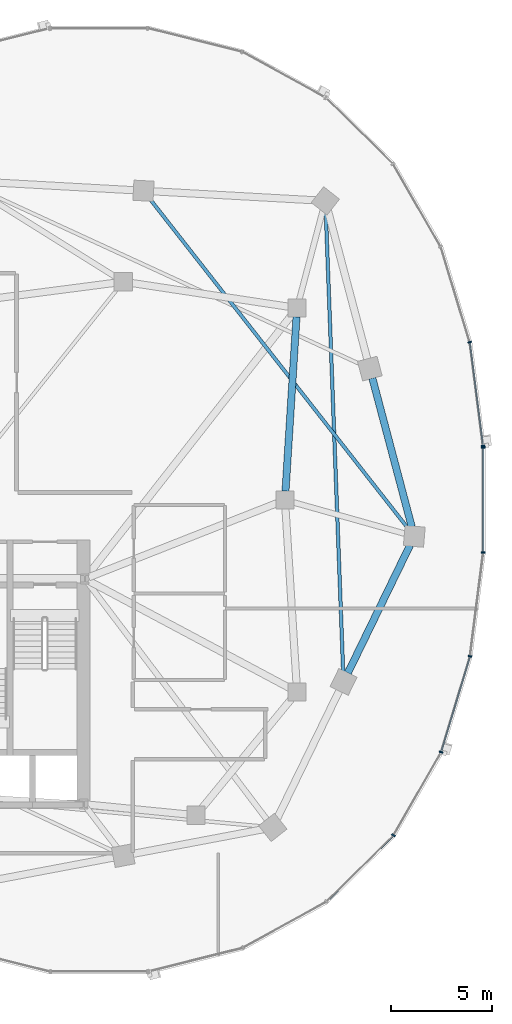
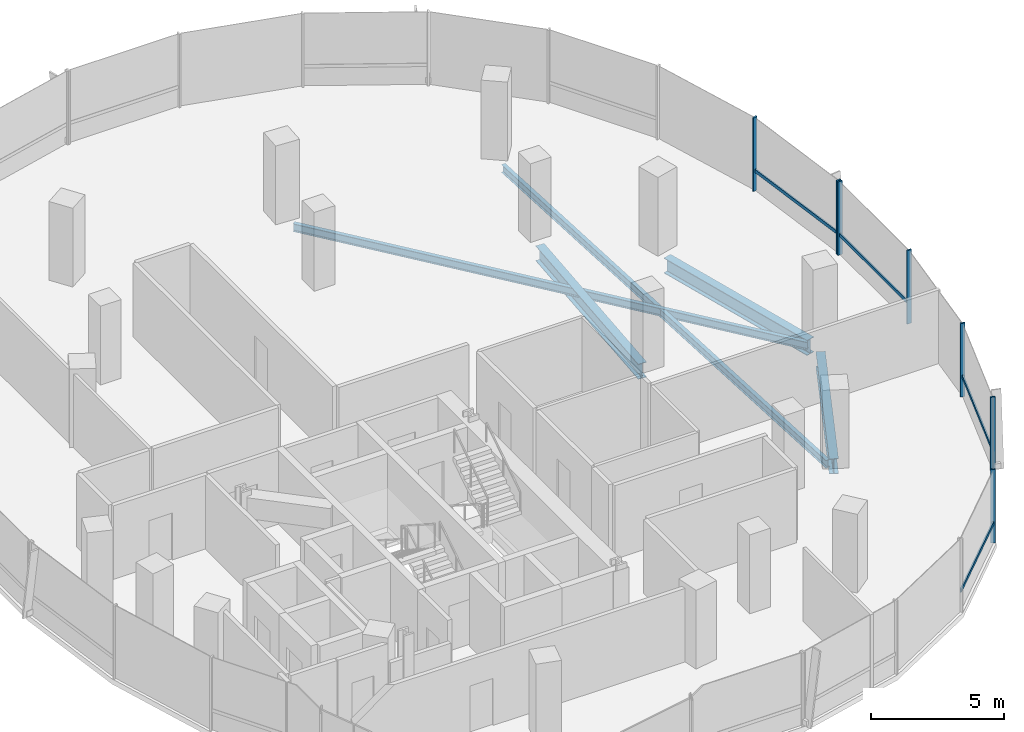
# One storey, part 8 of 22: 11 members, 5 beams, 2 elements without a shape of their own.
"""IFC4 building model written with IfcOpenShell, lengths in metres."""

from ifc_helpers import new_model, si_unit, direction, frame, origin, origin_2d, place, context, subcontext, project, spatial, rectangle, i_section, extrude, material, material_profile, profile_set, type_object, element, aggregate, save


model = new_model("IFC4")

# Units and contexts
model_context = context("Model", 3, precision=1e-05, world=origin(), true_north=direction((0.0, 1.0)))
body_context = subcontext(model_context, "Body", "Model", "MODEL_VIEW")
ifc_project = project(units=[si_unit("LENGTHUNIT", "METRE"), si_unit("AREAUNIT", "SQUARE_METRE"), si_unit("VOLUMEUNIT", "CUBIC_METRE"), si_unit("PLANEANGLEUNIT", "RADIAN"), si_unit("MASSUNIT", "GRAM", prefix="KILO"), si_unit("THERMODYNAMICTEMPERATUREUNIT", "KELVIN"), si_unit("POWERUNIT", "WATT")], contexts=[model_context])

# Site, building, storey
site_placement = place(None, origin())
site = spatial("IfcSite", under=ifc_project, at=site_placement, CompositionType="ELEMENT")
building_placement = place(site_placement, origin())
building = spatial("IfcBuilding", under=site, at=building_placement, Name="Cundina Bronze Exchange", CompositionType="ELEMENT")
storey_placement = place(building_placement, frame((0.0, 0.0, 140.39990234375)))
storey = spatial("IfcBuildingStorey", under=building, at=storey_placement, Name="L36", CompositionType="ELEMENT", Elevation=140.39990234375)

# Beams
ifc_material_1 = material(Name="Steel ASTM A992 Grade 50", Category="steel")
ifc_material_profile_1 = material_profile(ifc_material_1, i_section(OverallWidth=0.172119140625, OverallDepth=0.35791015625, WebThickness=0.0078125, FlangeThickness=0.01318359375, FilletRadius=0.010009765625, at=origin_2d()), Name="W14X38", Category="steel")
ifc_profile_set_1 = profile_set([ifc_material_profile_1], Name="Steel ASTM A992 Grade 50")
beam_type_1 = type_object("IfcBeamType", Name="BM-JST-W14", PredefinedType="JOIST", material=ifc_profile_set_1)
beam_1_placement = place(storey_placement, frame((44.08154296875, -8.51220703125, -0.4189453125), z_axis=(-0.037784933381, 0.999285894431, 0.0), x_axis=(-0.999285894431, -0.037784933381, 0.0)))
element("IfcBeam", 1, at=beam_1_placement, inside=storey, type_object=beam_type_1, Name="L36 Leg E Lobe Floor Joist 07-10", PredefinedType="JOIST", context=body_context, shape_type="SweptSolid", body=[
    extrude(i_section(OverallWidth=0.172119140625, OverallDepth=0.35791015625, WebThickness=0.0078125, FlangeThickness=0.01318359375, FilletRadius=0.010009765625, at=origin_2d()), origin(), (0.0, 0.0, 1.0), 22.8408203125),
])
beam_2_placement = place(storey_placement, frame((47.299072265625, -1.416015625, -0.4189453125), z_axis=(-0.616801484103, 0.787118751656, 0.0), x_axis=(-0.787118751656, -0.616801484103, 0.0)))
element("IfcBeam", 2, at=beam_2_placement, inside=storey, type_object=beam_type_1, Name="L36 Leg E Lobe Floor Joist 08-11", PredefinedType="JOIST", context=body_context, shape_type="SweptSolid", body=[
    extrude(i_section(OverallWidth=0.172119140625, OverallDepth=0.35791015625, WebThickness=0.0078125, FlangeThickness=0.01318359375, FilletRadius=0.010009765625, at=origin_2d()), origin(), (0.0, 0.0, 1.0), 20.7490234375),
])
ifc_material_profile_2 = material_profile(ifc_material_1, i_section(OverallWidth=0.35498046875, OverallDepth=0.695068359375, WebThickness=0.015380859375, FlangeThickness=0.02490234375, FilletRadius=0.01806640625, at=origin_2d()), Name="W27X146", Category="steel")
ifc_profile_set_2 = profile_set([ifc_material_profile_2], Name="Steel ASTM A992 Grade 50")
beam_type_2 = type_object("IfcBeamType", Name="BM-RING-W27", PredefinedType="USERDEFINED", material=ifc_profile_set_2)
beam_3_placement = place(storey_placement, frame((41.2275390625, 0.43701171875, -0.58740234375), z_axis=(0.063046519736, 0.998010589297, 0.0), x_axis=(-0.998010589297, 0.063046519736, 0.0)))
element("IfcBeam", 3, at=beam_3_placement, inside=storey, type_object=beam_type_2, Name="L36 E Inner Structural Ring Girder 04", ObjectType="GIRDER", PredefinedType="USERDEFINED", context=body_context, shape_type="SweptSolid", body=[
    extrude(i_section(OverallWidth=0.35498046875, OverallDepth=0.695068359375, WebThickness=0.015380859375, FlangeThickness=0.02490234375, FilletRadius=0.01806640625, at=origin_2d()), origin(), (0.0, 0.0, 1.0), 8.64306640625),
])
beam_4_placement = place(storey_placement, frame((44.3134765625, -8.56103515625, -0.58740234375), z_axis=(0.437196998825, 0.89936576776, 0.0), x_axis=(-0.89936576776, 0.437196998825, 0.0)))
element("IfcBeam", 4, at=beam_4_placement, inside=storey, type_object=beam_type_2, Name="L36 E Perimeter Ring Girder 07", ObjectType="GIRDER", PredefinedType="USERDEFINED", context=body_context, shape_type="SweptSolid", body=[
    extrude(i_section(OverallWidth=0.35498046875, OverallDepth=0.695068359375, WebThickness=0.015380859375, FlangeThickness=0.02490234375, FilletRadius=0.01806640625, at=origin_2d()), origin(), (0.0, 0.0, 1.0), 7.029541015625),
])
beam_5_placement = place(storey_placement, frame((47.47509765625, -1.328369140625, -0.58740234375), z_axis=(-0.256240814108, 0.966612975904, 0.0), x_axis=(-0.966612975904, -0.256240814108, 0.0)))
element("IfcBeam", 5, at=beam_5_placement, inside=storey, type_object=beam_type_2, Name="L36 E Perimeter Ring Girder 08", ObjectType="GIRDER", PredefinedType="USERDEFINED", context=body_context, shape_type="SweptSolid", body=[
    extrude(i_section(OverallWidth=0.35498046875, OverallDepth=0.695068359375, WebThickness=0.015380859375, FlangeThickness=0.02490234375, FilletRadius=0.01806640625, at=origin_2d()), origin(), (0.0, 0.0, 1.0), 7.61083984375),
])

# Curtain wall, members
ifc_material_2 = material(Name="Anodised Bronze Aluminium 6063-T6", Category="aluminium")
curtain_wall_type = type_object("IfcCurtainWallType", Name="CWS-WST-PIN", PredefinedType="NOTDEFINED", material=ifc_material_2)
curtain_wall_1_placement = place(storey_placement, origin())
curtain_wall_1 = element("IfcCurtainWall", 6, at=curtain_wall_1_placement, inside=storey, type_object=curtain_wall_type, Name="L36 CW-04 Curtain Wall Run CWR-L36-E1", PredefinedType="NOTDEFINED")
ifc_material_profile_3 = material_profile(ifc_material_2, rectangle(XDim=0.070068359375, YDim=0.18994140625, at=origin_2d()), Name="AL70X190", Category="aluminium")
ifc_profile_set_3 = profile_set([ifc_material_profile_3], Name="Anodised Bronze Aluminium 6063-T6")
member_type_1 = type_object("IfcMemberType", Name="CWM-MUL-190", PredefinedType="MULLION", material=ifc_profile_set_3)
member_1_placement = place(storey_placement, frame((51.001708984375, 2.676025390625, 0.0), z_axis=(0.0, 0.0, 1.0), x_axis=(-0.126545236492, 0.991960837494, 0.0)))
member_1 = element("IfcMember", 7, at=member_1_placement, type_object=member_type_1, Name="CW-04 Mullion 1", PredefinedType="MULLION", context=body_context, shape_type="SweptSolid", body=[
    extrude(rectangle(XDim=0.070068359375, YDim=0.18994140625, at=origin_2d()), origin(), (0.0, 0.0, 1.0), 3.360107421875),
])
member_2_placement = place(storey_placement, frame((50.3408203125, 7.80859375, 0.0), z_axis=(0.0, 0.0, 1.0), x_axis=(-0.290034140915, 0.957016299288, 0.0)))
member_2 = element("IfcMember", 8, at=member_2_placement, type_object=member_type_1, Name="CW-04 Mullion 2", PredefinedType="MULLION", context=body_context, shape_type="SweptSolid", body=[
    extrude(rectangle(XDim=0.070068359375, YDim=0.18994140625, at=origin_2d()), origin(), (0.0, 0.0, 1.0), 3.360107421875),
])

curtain_wall_2_placement = place(storey_placement, origin())
curtain_wall_2 = element("IfcCurtainWall", 9, at=curtain_wall_2_placement, inside=storey, type_object=curtain_wall_type, Name="L36 CW-04 Curtain Wall Run CWR-L36-E4", PredefinedType="NOTDEFINED")
member_3_placement = place(storey_placement, frame((46.57080078125, -16.588134765625, 0.0), z_axis=(0.0, 0.0, 1.0), x_axis=(0.498487739754, 0.866896748936, 0.0)))
member_3 = element("IfcMember", 10, at=member_3_placement, type_object=member_type_1, Name="CW-04 Mullion 4", PredefinedType="MULLION", context=body_context, shape_type="SweptSolid", body=[
    extrude(rectangle(XDim=0.070068359375, YDim=0.18994140625, at=origin_2d()), origin(), (0.0, 0.0, 1.0), 3.360107421875),
])
member_4_placement = place(storey_placement, frame((48.92626953125, -12.4755859375, 0.0), z_axis=(0.0, 0.0, 1.0), x_axis=(0.290034140915, 0.957016299288, 0.0)))
member_4 = element("IfcMember", 11, at=member_4_placement, type_object=member_type_1, Name="CW-04 Mullion 5", PredefinedType="MULLION", context=body_context, shape_type="SweptSolid", body=[
    extrude(rectangle(XDim=0.070068359375, YDim=0.18994140625, at=origin_2d()), origin(), (0.0, 0.0, 1.0), 3.360107421875),
])
member_5_placement = place(storey_placement, frame((50.357177734375, -7.731689453125, 0.0), z_axis=(0.0, 0.0, 1.0), x_axis=(0.126545236492, 0.991960837494, 0.0)))
member_5 = element("IfcMember", 12, at=member_5_placement, type_object=member_type_1, Name="CW-04 Mullion 6", PredefinedType="MULLION", context=body_context, shape_type="SweptSolid", body=[
    extrude(rectangle(XDim=0.070068359375, YDim=0.18994140625, at=origin_2d()), origin(), (0.0, 0.0, 1.0), 3.360107421875),
])
member_6_placement = place(storey_placement, frame((51.007080078125, -2.593017578125, 0.0), z_axis=(0.0, 0.0, 1.0), x_axis=(0.0, 1.0, 0.0)))
member_6 = element("IfcMember", 13, at=member_6_placement, type_object=member_type_1, Name="CW-04 Mullion 7", PredefinedType="MULLION", context=body_context, shape_type="SweptSolid", body=[
    extrude(rectangle(XDim=0.070068359375, YDim=0.18994140625, at=origin_2d()), origin(), (0.0, 0.0, 1.0), 3.360107421875),
])
member_7_placement = place(storey_placement, frame((51.007080078125, 2.593017578125, 0.0), z_axis=(0.0, 0.0, 1.0), x_axis=(0.0, 1.0, 0.0)))
member_7 = element("IfcMember", 14, at=member_7_placement, type_object=member_type_1, Name="CW-04 End Mullion", PredefinedType="MULLION", context=body_context, shape_type="SweptSolid", body=[
    extrude(rectangle(XDim=0.070068359375, YDim=0.18994140625, at=origin_2d()), origin(), (0.0, 0.0, 1.0), 3.360107421875),
])

# Member
ifc_material_profile_4 = material_profile(ifc_material_2, rectangle(XDim=0.06494140625, YDim=0.14990234375, at=origin_2d()), Name="AL65X150", Category="aluminium")
ifc_profile_set_4 = profile_set([ifc_material_profile_4], Name="Anodised Bronze Aluminium 6063-T6")
member_type_2 = type_object("IfcMemberType", Name="CWM-TRN-150", PredefinedType="USERDEFINED", material=ifc_profile_set_4)
member_8_placement = place(storey_placement, frame((50.996826171875, 2.71435546875, 0.920166015625), z_axis=(-0.12646340362, 0.991971273548, 0.0), x_axis=(-0.991971273548, -0.12646340362, 0.0)))
member_8 = element("IfcMember", 15, at=member_8_placement, type_object=member_type_2, Name="CW-04 Spandrel Transom 1", ObjectType="TRANSOM", PredefinedType="USERDEFINED", context=body_context, shape_type="SweptSolid", body=[
    extrude(rectangle(XDim=0.06494140625, YDim=0.14990234375, at=origin_2d()), origin(), (0.0, 0.0, 1.0), 5.0966796875),
])

aggregate(curtain_wall_1, [member_1, member_8, member_2])

member_9_placement = place(storey_placement, frame((43.28662109375, -19.839599609375, 0.920166015625), z_axis=(0.712005023839, 0.702174370102, 0.0), x_axis=(-0.702174370102, 0.712005023839, 0.0)))
member_9 = element("IfcMember", 16, at=member_9_placement, type_object=member_type_2, Name="CW-04 Spandrel Transom 3", ObjectType="TRANSOM", PredefinedType="USERDEFINED", context=body_context, shape_type="SweptSolid", body=[
    extrude(rectangle(XDim=0.06494140625, YDim=0.14990234375, at=origin_2d()), origin(), (0.0, 0.0, 1.0), 4.594482421875),
])

member_10_placement = place(storey_placement, frame((48.937255859375, -12.43896484375, 0.920166015625), z_axis=(0.290051855969, 0.957010930371, 0.0), x_axis=(-0.957010930371, 0.290051855969, 0.0)))
member_10 = element("IfcMember", 17, at=member_10_placement, type_object=member_type_2, Name="CW-04 Spandrel Transom 5", ObjectType="TRANSOM", PredefinedType="USERDEFINED", context=body_context, shape_type="SweptSolid", body=[
    extrude(rectangle(XDim=0.06494140625, YDim=0.14990234375, at=origin_2d()), origin(), (0.0, 0.0, 1.0), 4.876953125),
])

member_11_placement = place(storey_placement, frame((51.007080078125, -2.554443359375, 0.920166015625), z_axis=(0.0, 1.0, 0.0), x_axis=(-1.0, 0.0, 0.0)))
member_11 = element("IfcMember", 18, at=member_11_placement, type_object=member_type_2, Name="CW-04 Spandrel Transom 7", ObjectType="TRANSOM", PredefinedType="USERDEFINED", context=body_context, shape_type="SweptSolid", body=[
    extrude(rectangle(XDim=0.06494140625, YDim=0.14990234375, at=origin_2d()), origin(), (0.0, 0.0, 1.0), 5.10888671875),
])

aggregate(curtain_wall_2, [member_9, member_3, member_4, member_10, member_5, member_6, member_7, member_11])

save(model, "model.ifc")
